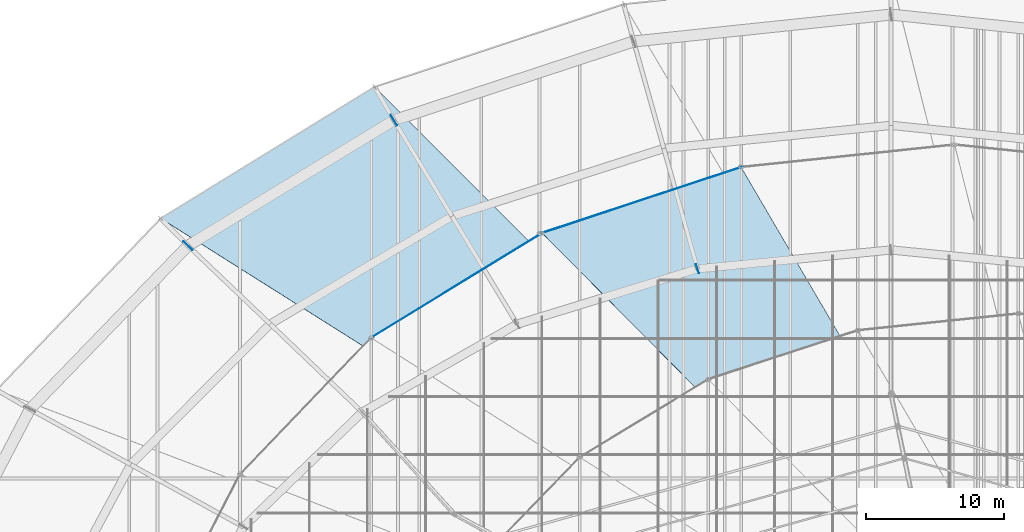
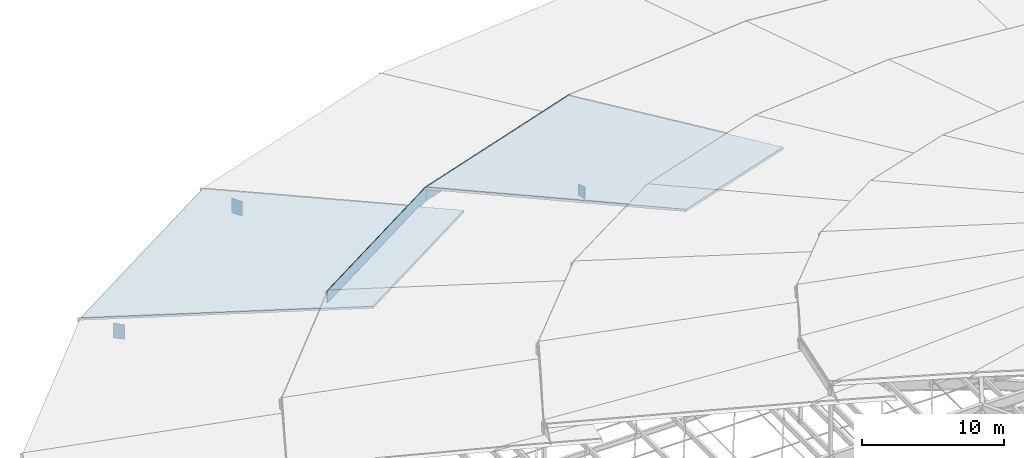
# One storey, part 149 of 184: 5 plates, 2 slabs.
"""IFC4 building model written with IfcOpenShell, lengths in metres."""

from ifc_helpers import new_model, si_unit, direction, frame, origin, origin_2d, place, context, subcontext, project, spatial, polyline, rectangle, outline, extrude, material, layer, layer_set, type_object, element, save


model = new_model("IFC4")

# Units and contexts
model_context = context("Model", 3, precision=1e-05, world=origin(), true_north=direction((0.0, 1.0)))
body_context = subcontext(model_context, "Body", "Model", "MODEL_VIEW")
ifc_project = project(units=[si_unit("LENGTHUNIT", "METRE"), si_unit("AREAUNIT", "SQUARE_METRE"), si_unit("VOLUMEUNIT", "CUBIC_METRE"), si_unit("PLANEANGLEUNIT", "RADIAN"), si_unit("MASSUNIT", "GRAM", prefix="KILO")], contexts=[model_context])

# Site, building, storey
site_placement = place(None, origin())
site = spatial("IfcSite", under=ifc_project, at=site_placement, CompositionType="ELEMENT")
building_placement = place(site_placement, origin())
building = spatial("IfcBuilding", under=site, at=building_placement, Name="Kalgoora Escarpment Arena", CompositionType="ELEMENT")
storey_placement = place(building_placement, frame((0.0, 0.0, 27.60009765625)))
storey = spatial("IfcBuildingStorey", under=building, at=storey_placement, Name="Roof Level", CompositionType="ELEMENT", Elevation=27.60009765625)

# Plates
ifc_material_1 = material(Name="Low-E double-glazed petal clerestory glass", Category="glass")
ifc_layer_1 = layer(ifc_material_1, 0.035888671875)
ifc_layer_set_1 = layer_set([ifc_layer_1], Name="PLT-PETAL-CLERESTORY")
plate_type_1 = type_object("IfcPlateType", Name="PLT-PETAL-CLERESTORY", PredefinedType="USERDEFINED", material=ifc_layer_set_1)
plate_1_placement = place(storey_placement, frame((74.38720703125, 107.600341796875, 0.260009765625), z_axis=(0.0, 0.0, 1.0), x_axis=(-0.94937066116, -0.31415815719, 0.0)))
element("IfcPlate", 1, at=plate_1_placement, inside=storey, type_object=plate_type_1, Name="Petal RP2 glazed clerestory collar panel S08", ObjectType="CLERESTORY PANEL", PredefinedType="USERDEFINED", context=body_context, shape_type="SweptSolid", body=[
    extrude(rectangle(XDim=15.36767578125, YDim=0.0400390625, at=origin_2d()), origin(), (0.0, 0.0, 1.0), 1.25),
])
plate_2_placement = place(storey_placement, frame((61.0283203125, 101.440673828125, 0.260009765625), z_axis=(0.0, 0.0, 1.0), x_axis=(-0.852640164354, -0.522498564716, 0.0)))
element("IfcPlate", 2, at=plate_2_placement, inside=storey, type_object=plate_type_1, Name="Petal RP2 glazed clerestory collar panel S09", ObjectType="CLERESTORY PANEL", PredefinedType="USERDEFINED", context=body_context, shape_type="SweptSolid", body=[
    extrude(rectangle(XDim=14.694091796875, YDim=0.0400390625, at=origin_2d()), origin(), (0.0, 0.0, 1.0), 1.25),
])
ifc_material_2 = material(Name="Structural steel Grade 350 (350 MPa)", Category="steel")
ifc_layer_2 = layer(ifc_material_2, 0.031982421875)
ifc_layer_set_2 = layer_set([ifc_layer_2], Name="PLT-RING-DIAPH")
plate_type_2 = type_object("IfcPlateType", Name="PLT-RING-DIAPH", PredefinedType="USERDEFINED", material=ifc_layer_set_2)
plate_3_placement = place(storey_placement, frame((78.423828125, 102.636962890625, -1.760009765625), z_axis=(0.0, 0.0, 1.0), x_axis=(-0.955998060733, -0.293372984228, 0.0)))
element("IfcPlate", 3, at=plate_3_placement, inside=storey, type_object=plate_type_2, Name="Inner ring node diaphragm plate 08", ObjectType="FLANGE PLATE", PredefinedType="USERDEFINED", context=body_context, shape_type="SweptSolid", body=[
    extrude(rectangle(XDim=0.031982421875, YDim=0.679931640625, at=origin_2d()), origin(), (0.0, 0.0, 1.0), 1.02001953125),
])
for number, where, z_axis, x_axis, name in (
    (4, (56.5, 113.36328125, -2.09033203125), (0.0, 0.0, 1.0), (-0.854005138885, -0.520264569962, 0.0), "Compression ring node diaphragm plate 09"),
    (5, (41.629638671875, 104.30517578125, -2.09033203125), (0.0, 0.0, 1.0), (-0.695034920658, -0.718975979477, 0.0), "Compression ring node diaphragm plate 10"),
):
    element("IfcPlate", number, at=place(storey_placement, frame(where, z_axis=z_axis, x_axis=x_axis)), inside=storey, type_object=plate_type_2, Name=name, ObjectType="FLANGE PLATE", PredefinedType="USERDEFINED", context=body_context, shape_type="SweptSolid", body=[
        extrude(rectangle(XDim=0.031982421875, YDim=0.8798828125, at=origin_2d()), origin(), (0.0, 0.0, 1.0), 1.280029296875),
    ])

# Slabs
ifc_material_3 = material(Name="White acoustic composite Concrete N40 (fc' 40 MPa)", Category="concrete")
ifc_layer_3 = layer(ifc_material_3, 0.179931640625)
ifc_layer_set_3 = layer_set([ifc_layer_3], Name="SLB-PETAL-RP1")
slab_type_1 = type_object("IfcSlabType", Name="SLB-PETAL-RP1", PredefinedType="ROOF", material=ifc_layer_set_3)
slab_1_placement = place(storey_placement, frame((55.10009765625, 115.788330078125, -0.840087890625), z_axis=(-0.044939996667, 0.07306179932, 0.996314393241), x_axis=(-0.851766448738, -0.523921670486, 2.79611e-07)))
element("IfcSlab", 6, at=slab_1_placement, inside=storey, type_object=slab_type_1, Name="Shifted white roof petal RP1 sector 09", PredefinedType="ROOF", context=body_context, shape_type="SweptSolid", body=[
    extrude(outline(polyline([(0.0, 0.0), (18.139004611144777, 0.0), (9.023992555790162, 18.625746592147244), (-4.4291857083890696, 18.6543119466969), (0.0, 0.0)])), origin(), (0.0, 0.0, -1.0), 0.179931640625),
])
ifc_material_4 = material(Name="White acoustic composite Concrete N40 (fc' 40 MPa)", Category="concrete")
ifc_layer_4 = layer(ifc_material_4, 0.205078125)
ifc_layer_set_4 = layer_set([ifc_layer_4], Name="SLB-PETAL-RP2")
slab_type_2 = type_object("IfcSlabType", Name="SLB-PETAL-RP2", PredefinedType="ROOF", material=ifc_layer_set_4)
slab_2_placement = place(storey_placement, frame((81.574462890625, 109.97802734375, 1.449951171875), z_axis=(-0.029290061564, 0.088555529041, 0.995640502676), x_axis=(-0.949401737373, -0.314064230781, 4.106676e-06)))
element("IfcSlab", 7, at=slab_2_placement, inside=storey, type_object=slab_type_2, Name="Shifted white roof petal RP2 sector 08", PredefinedType="ROOF", context=body_context, shape_type="SweptSolid", body=[
    extrude(outline(polyline([(0.0, 0.0), (15.14060168847054, 0.0), (6.651993426200669, 17.112685683080464), (-3.6483025838260597, 17.153067757893705), (0.0, 0.0)])), origin(), (0.0, 0.0, -1.0), 0.205078125),
])

save(model, "model.ifc")
